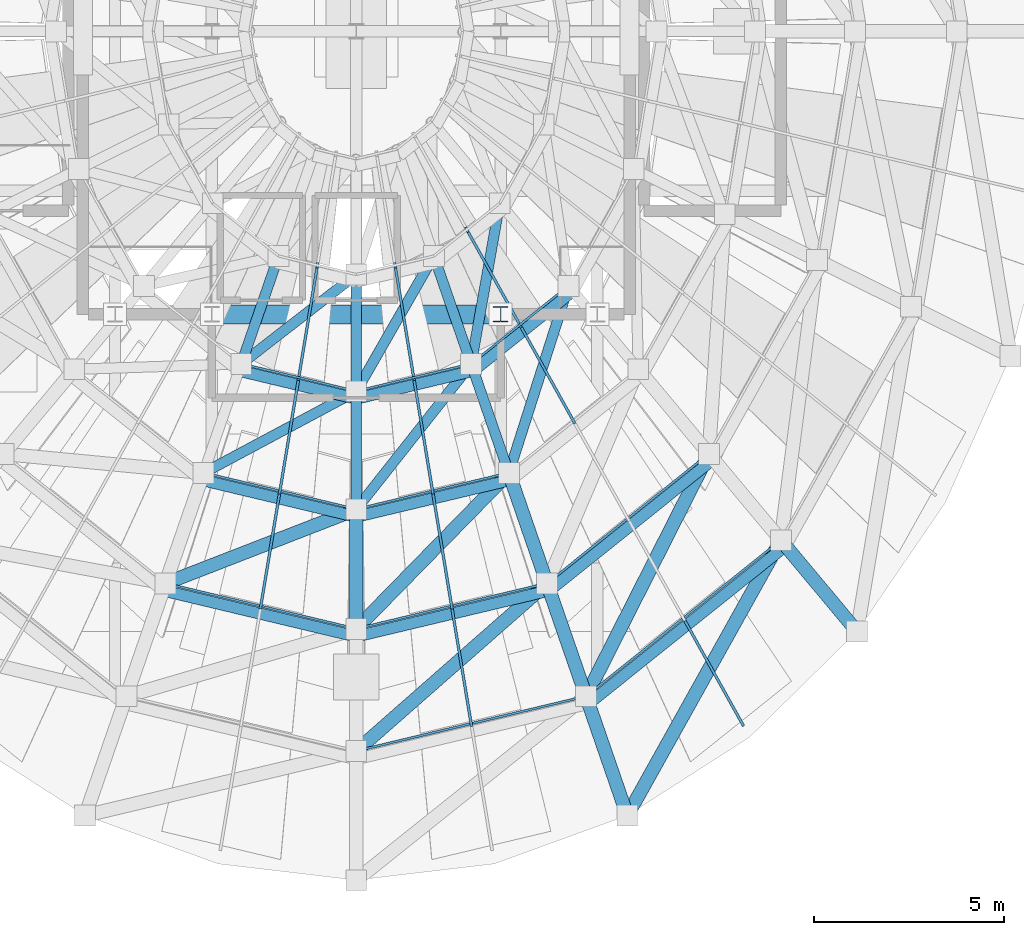
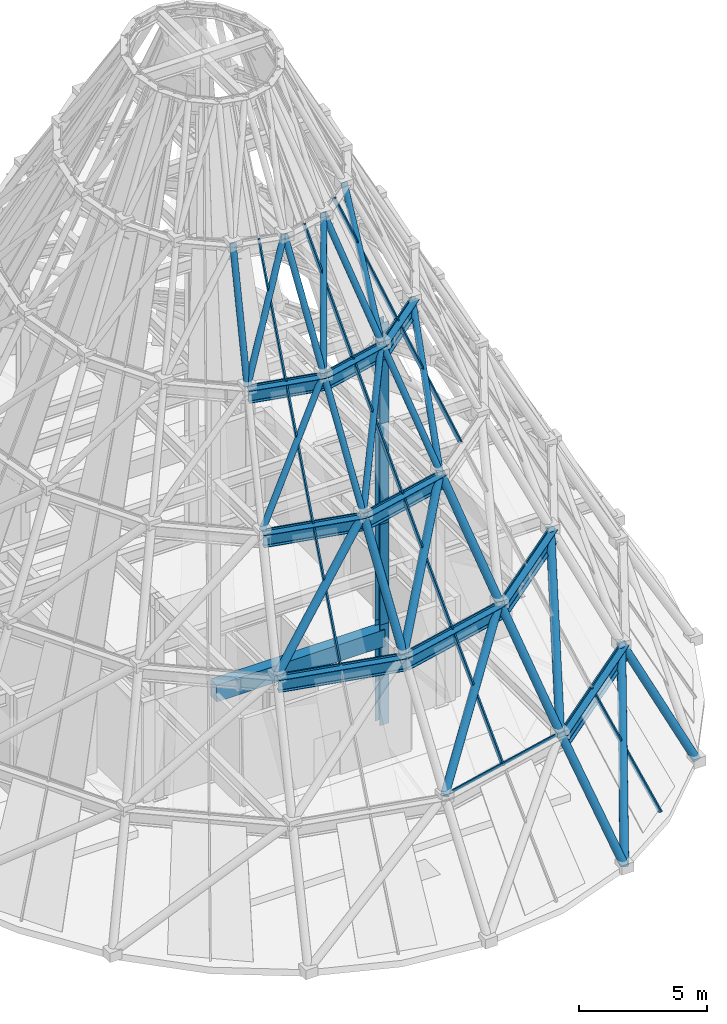
# One storey, part 2 of 16: 45 members, 10 beams, 5 elements without a shape of their own.
"""IFC4 building model written with IfcOpenShell, lengths in metres."""

from ifc_helpers import new_model, si_unit, direction, frame, origin, origin_2d, place, context, subcontext, project, spatial, rectangle, hollow_rectangle, hollow_circle, i_section, extrude, material, layer, layer_set, material_profile, profile_set, type_object, element, aggregate, save


model = new_model("IFC4")

# Units and contexts
model_context = context("Model", 3, precision=1e-05, world=origin(), true_north=direction((0.0, 1.0)))
body_context = subcontext(model_context, "Body", "Model", "MODEL_VIEW")
ifc_project = project(units=[si_unit("LENGTHUNIT", "METRE"), si_unit("AREAUNIT", "SQUARE_METRE"), si_unit("VOLUMEUNIT", "CUBIC_METRE"), si_unit("PLANEANGLEUNIT", "RADIAN"), si_unit("MASSUNIT", "GRAM", prefix="KILO")], contexts=[model_context])

# Site, building, storey
site_placement = place(None, origin())
site = spatial("IfcSite", under=ifc_project, at=site_placement, CompositionType="ELEMENT")
building_placement = place(site_placement, origin())
building = spatial("IfcBuilding", under=site, at=building_placement, Name="Veldorina Hangang Commons", CompositionType="ELEMENT")
storey_placement = place(building_placement, frame((0.0, 0.0, 308.39990234375)))
storey = spatial("IfcBuildingStorey", under=building, at=storey_placement, Name="Crown", CompositionType="ELEMENT", Elevation=308.39990234375)

# Beams
ifc_material_1 = material(Name="Concrete C50/60", Category="concrete")
ifc_material_profile_1 = material_profile(ifc_material_1, rectangle(XDim=0.5, YDim=0.800048828125, at=origin_2d()), Name="RC-CB-500x800")
ifc_profile_set_1 = profile_set([ifc_material_profile_1], Name="Concrete C50/60")
beam_type_1 = type_object("IfcBeamType", Name="BM-CB800", PredefinedType="LINTEL", material=ifc_profile_set_1)
beam_1_placement = place(storey_placement, frame((28.199951171875, 16.550048828125, 4.16015625), z_axis=(1.0, 0.0, 0.0), x_axis=(0.0, 1.0, 0.0)))
element("IfcBeam", 1, at=beam_1_placement, inside=storey, type_object=beam_type_1, Name="Crown south core coupling beam", PredefinedType="LINTEL", context=body_context, shape_type="SweptSolid", body=[
    extrude(rectangle(XDim=0.5, YDim=0.800048828125, at=origin_2d()), origin(), (0.0, 0.0, 1.0), 7.60009765625),
])
ifc_material_2 = material(Name="Steel SM460-TMC", Category="steel")
ifc_material_profile_2 = material_profile(ifc_material_2, i_section(OverallWidth=0.300048828125, OverallDepth=0.587890625, WebThickness=0.011962890625, FlangeThickness=0.02001953125, FilletRadius=0.01806640625, at=origin_2d()), Name="H-588x300x12x20")
ifc_profile_set_2 = profile_set([ifc_material_profile_2], Name="Steel SM460-TMC")
beam_type_2 = type_object("IfcBeamType", Name="BM-FG588", PredefinedType="BEAM", material=ifc_profile_set_2)
beam_2_placement = place(storey_placement, frame((38.11865234375, 6.297607421875, 4.5), z_axis=(0.780592742978, 0.62503997441, 0.0), x_axis=(-0.62503997441, 0.780592742978, 0.0)))
element("IfcBeam", 2, at=beam_2_placement, inside=storey, type_object=beam_type_2, Name="Crown tier 1 ring beam 13", PredefinedType="BEAM", context=body_context, shape_type="SweptSolid", body=[
    extrude(i_section(OverallWidth=0.300048828125, OverallDepth=0.587890625, WebThickness=0.011962890625, FlangeThickness=0.02001953125, FilletRadius=0.01806640625, at=origin_2d()), origin(), (0.0, 0.0, 1.0), 6.645263671875),
])
for number, where, z_axis, x_axis, name in (
    (3, (26.911865234375, 9.27880859375, 9.300048828125), (0.972744581879, -0.231879232416, 0.0), (0.231879232416, 0.972744581879, 0.0), "Crown tier 2 ring beam 11"),
    (4, (32.0, 8.06591796875, 9.300048828125), (0.972744581879, 0.231879232416, 0.0), (-0.231879232416, 0.972744581879, 0.0), "Crown tier 2 ring beam 12"),
):
    element("IfcBeam", number, at=place(storey_placement, frame(where, z_axis=z_axis, x_axis=x_axis)), inside=storey, type_object=beam_type_2, Name=name, PredefinedType="BEAM", context=body_context, shape_type="SweptSolid", body=[
        extrude(i_section(OverallWidth=0.300048828125, OverallDepth=0.587890625, WebThickness=0.011962890625, FlangeThickness=0.02001953125, FilletRadius=0.01806640625, at=origin_2d()), origin(), (0.0, 0.0, 1.0), 5.230712890625),
    ])
beam_3_placement = place(storey_placement, frame((37.088134765625, 9.27880859375, 9.300048828125), z_axis=(0.780592886021, 0.625039795768, 0.0), x_axis=(-0.625039795768, 0.780592886021, 0.0)))
element("IfcBeam", 5, at=beam_3_placement, inside=storey, type_object=beam_type_2, Name="Crown tier 2 ring beam 13", PredefinedType="BEAM", context=body_context, shape_type="SweptSolid", body=[
    extrude(i_section(OverallWidth=0.300048828125, OverallDepth=0.587890625, WebThickness=0.011962890625, FlangeThickness=0.02001953125, FilletRadius=0.01806640625, at=origin_2d()), origin(), (0.0, 0.0, 1.0), 5.526123046875),
])
for number, where, z_axis, x_axis, name in (
    (6, (27.918701171875, 12.19189453125, 14.10009765625), (0.972743744908, -0.231882743522, 0.0), (0.231882743522, 0.972743744908, 0.0), "Crown tier 3 ring beam 11"),
    (7, (32.0, 11.218994140625, 14.10009765625), (0.972743744908, 0.231882743522, 0.0), (-0.231882743522, 0.972743744908, 0.0), "Crown tier 3 ring beam 12"),
):
    element("IfcBeam", number, at=place(storey_placement, frame(where, z_axis=z_axis, x_axis=x_axis)), inside=storey, type_object=beam_type_2, Name=name, PredefinedType="BEAM", context=body_context, shape_type="SweptSolid", body=[
        extrude(i_section(OverallWidth=0.300048828125, OverallDepth=0.587890625, WebThickness=0.011962890625, FlangeThickness=0.02001953125, FilletRadius=0.01806640625, at=origin_2d()), origin(), (0.0, 0.0, 1.0), 4.195556640625),
    ])
for number, where, z_axis, x_axis, name in (
    (8, (28.911376953125, 15.064208984375, 18.900146484375), (0.972739348926, -0.231901183808, 0.0), (0.231901183808, 0.972739348926, 0.0), "Crown tier 4 ring beam 11"),
    (9, (32.0, 14.327880859375, 18.900146484375), (0.972739348926, 0.231901183808, 0.0), (-0.231901183808, 0.972739348926, 0.0), "Crown tier 4 ring beam 12"),
):
    element("IfcBeam", number, at=place(storey_placement, frame(where, z_axis=z_axis, x_axis=x_axis)), inside=storey, type_object=beam_type_2, Name=name, PredefinedType="BEAM", context=body_context, shape_type="SweptSolid", body=[
        extrude(i_section(OverallWidth=0.300048828125, OverallDepth=0.587890625, WebThickness=0.011962890625, FlangeThickness=0.02001953125, FilletRadius=0.01806640625, at=origin_2d()), origin(), (0.0, 0.0, 1.0), 3.17529296875),
    ])
beam_4_placement = place(storey_placement, frame((35.088623046875, 15.064208984375, 18.900146484375), z_axis=(0.780584702233, 0.62505001611, 0.0), x_axis=(-0.62505001611, 0.780584702233, 0.0)))
element("IfcBeam", 10, at=beam_4_placement, inside=storey, type_object=beam_type_2, Name="Crown tier 4 ring beam 13", PredefinedType="BEAM", context=body_context, shape_type="SweptSolid", body=[
    extrude(i_section(OverallWidth=0.300048828125, OverallDepth=0.587890625, WebThickness=0.011962890625, FlangeThickness=0.02001953125, FilletRadius=0.01806640625, at=origin_2d()), origin(), (0.0, 0.0, 1.0), 3.3544921875),
])

# Members
ifc_material_profile_3 = material_profile(ifc_material_2, i_section(OverallWidth=0.39990234375, OverallDepth=0.39990234375, WebThickness=0.012939453125, FlangeThickness=0.02099609375, FilletRadius=0.01806640625, at=origin_2d()), Name="H-400x400x13x21")
ifc_profile_set_3 = profile_set([ifc_material_profile_3], Name="Steel SM460-TMC")
member_type_1 = type_object("IfcMemberType", Name="CRN-POST-H400", PredefinedType="BRACE", material=ifc_profile_set_3)
for number, where, z_axis, x_axis, name in (
    (11, (35.800048828125, 16.550048828125, 0.0), (0.0, 0.0, 1.0), (1.0, 0.0, 0.0), "Crown tier 1 inner core post ISE"),
    (12, (35.800048828125, 16.550048828125, 4.800048828125), (0.0, 0.0, 1.0), (1.0, 0.0, 0.0), "Crown tier 2 inner core post ISE"),
    (13, (35.800048828125, 16.550048828125, 9.60009765625), (0.0, 0.0, 1.0), (1.0, 0.0, 0.0), "Crown tier 3 inner core post ISE"),
    (14, (35.800048828125, 16.550048828125, 14.400146484375), (0.0, 0.0, 1.0), (1.0, 0.0, 0.0), "Crown tier 4 inner core post ISE"),
):
    element("IfcMember", number, at=place(storey_placement, frame(where, z_axis=z_axis, x_axis=x_axis)), inside=storey, type_object=member_type_1, Name=name, PredefinedType="BRACE", context=body_context, shape_type="SweptSolid", body=[
        extrude(i_section(OverallWidth=0.39990234375, OverallDepth=0.39990234375, WebThickness=0.012939453125, FlangeThickness=0.02099609375, FilletRadius=0.01806640625, at=origin_2d()), origin(), (0.0, 0.0, 1.0), 4.800048828125),
    ])
ifc_material_3 = material(Name="Steel SM355-TMC", Category="steel")
ifc_material_profile_4 = material_profile(ifc_material_3, hollow_circle(Radius=0.136474609375, WallThickness=0.011962890625, at=origin_2d()), Name="CHS-273.0x12")
ifc_profile_set_4 = profile_set([ifc_material_profile_4], Name="Steel SM355-TMC")
member_type_2 = type_object("IfcMemberType", Name="CRN-RIB273", PredefinedType="BRACE", material=ifc_profile_set_4)
member_1_placement = place(storey_placement, frame((27.9814453125, 12.373779296875, 14.400146484375), z_axis=(0.607166596877, 0.324609116192, 0.725243162892), x_axis=(-0.471477856671, 0.881877900091, 0.0)))
element("IfcMember", 15, at=member_1_placement, inside=storey, type_object=member_type_2, Name="Crown tier 4 CROWN FRAME diagrid brace 11", PredefinedType="BRACE", context=body_context, shape_type="SweptSolid", body=[
    extrude(hollow_circle(Radius=0.136474609375, WallThickness=0.011962890625, at=origin_2d()), origin(), (0.0, 0.0, 1.0), 6.61865234375),
])
member_2_placement = place(storey_placement, frame((32.0, 11.415771484375, 14.400146484375), z_axis=(0.0, 0.543316784792, 0.839527766881), x_axis=(-1.0, 0.0, 0.0)))
element("IfcMember", 16, at=member_2_placement, inside=storey, type_object=member_type_2, Name="Crown tier 4 CROWN FRAME meridian rib 12", PredefinedType="BRACE", context=body_context, shape_type="SweptSolid", body=[
    extrude(hollow_circle(Radius=0.136474609375, WallThickness=0.011962890625, at=origin_2d()), origin(), (0.0, 0.0, 1.0), 5.717529296875),
])
member_3_placement = place(storey_placement, frame((32.0, 11.415771484375, 14.400146484375), z_axis=(0.442166215286, 0.559225948977, 0.701252719104), x_axis=(-0.784424082486, 0.620224845371, 0.0)))
element("IfcMember", 17, at=member_3_placement, inside=storey, type_object=member_type_2, Name="Crown tier 4 CROWN FRAME diagrid brace 12", PredefinedType="BRACE", context=body_context, shape_type="SweptSolid", body=[
    extrude(hollow_circle(Radius=0.136474609375, WallThickness=0.011962890625, at=origin_2d()), origin(), (0.0, 0.0, 1.0), 6.844970703125),
])
member_4_placement = place(storey_placement, frame((36.0185546875, 12.373779296875, 14.400146484375), z_axis=(-0.174642809834, 0.505273499779, 0.845102703459), x_axis=(-0.945136052308, -0.326676969845, 0.0)))
element("IfcMember", 18, at=member_4_placement, inside=storey, type_object=member_type_2, Name="Crown tier 4 CROWN FRAME meridian rib 13", PredefinedType="BRACE", context=body_context, shape_type="SweptSolid", body=[
    extrude(hollow_circle(Radius=0.136474609375, WallThickness=0.011962890625, at=origin_2d()), origin(), (0.0, 0.0, 1.0), 5.679931640625),
])
member_5_placement = place(storey_placement, frame((36.0185546875, 12.373779296875, 14.400146484375), z_axis=(0.223081746633, 0.698038912441, 0.680423552677), x_axis=(-0.95253923004, 0.30441585904, 0.0)))
element("IfcMember", 19, at=member_5_placement, inside=storey, type_object=member_type_2, Name="Crown tier 4 CROWN FRAME diagrid brace 13", PredefinedType="BRACE", context=body_context, shape_type="SweptSolid", body=[
    extrude(hollow_circle(Radius=0.136474609375, WallThickness=0.011962890625, at=origin_2d()), origin(), (0.0, 0.0, 1.0), 7.054443359375),
])
member_6_placement = place(storey_placement, frame((28.973388671875, 15.24365234375, 19.2001953125), z_axis=(0.173386459595, 0.501622288375, 0.847533017313), x_axis=(-0.945132762504, 0.326686487693, 0.0)))
element("IfcMember", 20, at=member_6_placement, inside=storey, type_object=member_type_2, Name="Crown tier 5 CROWN FRAME meridian rib 11", PredefinedType="BRACE", context=body_context, shape_type="SweptSolid", body=[
    extrude(hollow_circle(Radius=0.136474609375, WallThickness=0.011962890625, at=origin_2d()), origin(), (0.0, 0.0, 1.0), 5.663330078125),
])
member_7_placement = place(storey_placement, frame((28.973388671875, 15.24365234375, 19.2001953125), z_axis=(0.49268560955, 0.383116018074, 0.781334119847), x_axis=(-0.61385684887, 0.789417360523, 0.0)))
element("IfcMember", 21, at=member_7_placement, inside=storey, type_object=member_type_2, Name="Crown tier 5 CROWN FRAME diagrid brace 11", PredefinedType="BRACE", context=body_context, shape_type="SweptSolid", body=[
    extrude(hollow_circle(Radius=0.136474609375, WallThickness=0.011962890625, at=origin_2d()), origin(), (0.0, 0.0, 1.0), 6.14306640625),
])
member_8_placement = place(storey_placement, frame((32.0, 14.522216796875, 19.2001953125), z_axis=(0.0, 0.539436480288, 0.842026296344), x_axis=(-1.0, 0.0, 0.0)))
element("IfcMember", 22, at=member_8_placement, inside=storey, type_object=member_type_2, Name="Crown tier 5 CROWN FRAME meridian rib 12", PredefinedType="BRACE", context=body_context, shape_type="SweptSolid", body=[
    extrude(hollow_circle(Radius=0.136474609375, WallThickness=0.011962890625, at=origin_2d()), origin(), (0.0, 0.0, 1.0), 5.7001953125),
])
member_9_placement = place(storey_placement, frame((32.0, 14.522216796875, 19.2001953125), z_axis=(0.323662341353, 0.563887429574, 0.759785269374), x_axis=(-0.867286839261, 0.497808736811, 0.0)))
element("IfcMember", 23, at=member_9_placement, inside=storey, type_object=member_type_2, Name="Crown tier 5 CROWN FRAME diagrid brace 12", PredefinedType="BRACE", context=body_context, shape_type="SweptSolid", body=[
    extrude(hollow_circle(Radius=0.136474609375, WallThickness=0.011962890625, at=origin_2d()), origin(), (0.0, 0.0, 1.0), 6.3173828125),
])
member_10_placement = place(storey_placement, frame((35.026611328125, 15.24365234375, 19.2001953125), z_axis=(-0.173386459595, 0.501622288375, 0.847533017313), x_axis=(-0.945132762504, -0.326686487693, 0.0)))
element("IfcMember", 24, at=member_10_placement, inside=storey, type_object=member_type_2, Name="Crown tier 5 CROWN FRAME meridian rib 13", PredefinedType="BRACE", context=body_context, shape_type="SweptSolid", body=[
    extrude(hollow_circle(Radius=0.136474609375, WallThickness=0.011962890625, at=origin_2d()), origin(), (0.0, 0.0, 1.0), 5.663330078125),
])
member_11_placement = place(storey_placement, frame((35.026611328125, 15.24365234375, 19.2001953125), z_axis=(0.116670725251, 0.656547638751, 0.74520677662), x_axis=(-0.984575130924, 0.174962314704, 0.0)))
element("IfcMember", 25, at=member_11_placement, inside=storey, type_object=member_type_2, Name="Crown tier 5 CROWN FRAME diagrid brace 13", PredefinedType="BRACE", context=body_context, shape_type="SweptSolid", body=[
    extrude(hollow_circle(Radius=0.136474609375, WallThickness=0.011962890625, at=origin_2d()), origin(), (0.0, 0.0, 1.0), 6.44091796875),
])
ifc_material_profile_5 = material_profile(ifc_material_3, hollow_circle(Radius=0.177734375, WallThickness=0.01611328125, at=origin_2d()), Name="CHS-355.6x16")
ifc_profile_set_5 = profile_set([ifc_material_profile_5], Name="Steel SM355-TMC")
member_type_3 = type_object("IfcMemberType", Name="CRN-RIB355", PredefinedType="BRACE", material=ifc_profile_set_5)
member_12_placement = place(storey_placement, frame((39.136962890625, 3.351318359375, 0.0), z_axis=(-0.186016034255, 0.538187995712, 0.822041188914), x_axis=(-0.945137867095, -0.32667171929, 0.0)))
element("IfcMember", 26, at=member_12_placement, inside=storey, type_object=member_type_3, Name="Crown tier 1 CROWN FRAME meridian rib 13", PredefinedType="BRACE", context=body_context, shape_type="SweptSolid", body=[
    extrude(hollow_circle(Radius=0.177734375, WallThickness=0.01611328125, at=origin_2d()), origin(), (0.0, 0.0, 1.0), 5.839111328125),
])
member_13_placement = place(storey_placement, frame((39.136962890625, 3.351318359375, 0.0), z_axis=(0.421668374498, 0.756059899111, 0.500568887272), x_axis=(-0.873354250632, 0.487085570412, 0.0)))
element("IfcMember", 27, at=member_13_placement, inside=storey, type_object=member_type_3, Name="Crown tier 1 CROWN FRAME diagrid brace 13", PredefinedType="BRACE", context=body_context, shape_type="SweptSolid", body=[
    extrude(hollow_circle(Radius=0.177734375, WallThickness=0.01611328125, at=origin_2d()), origin(), (0.0, 0.0, 1.0), 9.589111328125),
])
member_14_placement = place(storey_placement, frame((45.1875, 8.1962890625, 0.0), z_axis=(-0.350168559507, 0.419597430934, 0.837448491482), x_axis=(-0.767767513013, -0.640728527508, 0.0)))
element("IfcMember", 28, at=member_14_placement, inside=storey, type_object=member_type_3, Name="Crown tier 1 CROWN FRAME meridian rib 14", PredefinedType="BRACE", context=body_context, shape_type="SweptSolid", body=[
    extrude(hollow_circle(Radius=0.177734375, WallThickness=0.01611328125, at=origin_2d()), origin(), (0.0, 0.0, 1.0), 5.731689453125),
])
member_15_placement = place(storey_placement, frame((32.0, 5.051513671875, 4.800048828125), z_axis=(0.610338171498, 0.536129496938, 0.583140188056), x_axis=(-0.659956029597, 0.75130422533, 0.0)))
element("IfcMember", 29, at=member_15_placement, inside=storey, type_object=member_type_3, Name="Crown tier 2 CROWN FRAME diagrid brace 12", PredefinedType="BRACE", context=body_context, shape_type="SweptSolid", body=[
    extrude(hollow_circle(Radius=0.177734375, WallThickness=0.01611328125, at=origin_2d()), origin(), (0.0, 0.0, 1.0), 8.2314453125),
])
member_16_placement = place(storey_placement, frame((38.05078125, 6.493896484375, 4.800048828125), z_axis=(-0.17896971746, 0.517761179755, 0.836596199472), x_axis=(-0.94513004186, -0.326694358651, 0.0)))
element("IfcMember", 30, at=member_16_placement, inside=storey, type_object=member_type_3, Name="Crown tier 2 CROWN FRAME meridian rib 13", PredefinedType="BRACE", context=body_context, shape_type="SweptSolid", body=[
    extrude(hollow_circle(Radius=0.177734375, WallThickness=0.01611328125, at=origin_2d()), origin(), (0.0, 0.0, 1.0), 5.737548828125),
])
member_17_placement = place(storey_placement, frame((38.05078125, 6.493896484375, 4.800048828125), z_axis=(0.375235683021, 0.740750381203, 0.557213652861), x_axis=(-0.892073568209, 0.451890195626, 0.0)))
element("IfcMember", 31, at=member_17_placement, inside=storey, type_object=member_type_3, Name="Crown tier 2 CROWN FRAME diagrid brace 13", PredefinedType="BRACE", context=body_context, shape_type="SweptSolid", body=[
    extrude(hollow_circle(Radius=0.177734375, WallThickness=0.01611328125, at=origin_2d()), origin(), (0.0, 0.0, 1.0), 8.6142578125),
])
member_18_placement = place(storey_placement, frame((26.97607421875, 9.464599609375, 9.60009765625), z_axis=(0.696108596813, 0.270351827473, 0.665088498491), x_axis=(-0.362030881665, 0.932166101465, 0.0)))
element("IfcMember", 32, at=member_18_placement, inside=storey, type_object=member_type_3, Name="Crown tier 3 CROWN FRAME diagrid brace 11", PredefinedType="BRACE", context=body_context, shape_type="SweptSolid", body=[
    extrude(hollow_circle(Radius=0.177734375, WallThickness=0.01611328125, at=origin_2d()), origin(), (0.0, 0.0, 1.0), 7.217041015625),
])
member_19_placement = place(storey_placement, frame((32.0, 8.26708984375, 9.60009765625), z_axis=(0.0, 0.548492006114, 0.836155798419), x_axis=(-1.0, 0.0, 0.0)))
element("IfcMember", 33, at=member_19_placement, inside=storey, type_object=member_type_3, Name="Crown tier 3 CROWN FRAME meridian rib 12", PredefinedType="BRACE", context=body_context, shape_type="SweptSolid", body=[
    extrude(hollow_circle(Radius=0.177734375, WallThickness=0.01611328125, at=origin_2d()), origin(), (0.0, 0.0, 1.0), 5.74072265625),
])
member_20_placement = place(storey_placement, frame((32.0, 8.26708984375, 9.60009765625), z_axis=(0.536742521296, 0.548514334795, 0.641123615504), x_axis=(-0.714734743626, 0.699395629278, 0.0)))
element("IfcMember", 34, at=member_20_placement, inside=storey, type_object=member_type_3, Name="Crown tier 3 CROWN FRAME diagrid brace 12", PredefinedType="BRACE", context=body_context, shape_type="SweptSolid", body=[
    extrude(hollow_circle(Radius=0.177734375, WallThickness=0.01611328125, at=origin_2d()), origin(), (0.0, 0.0, 1.0), 7.48681640625),
])
member_21_placement = place(storey_placement, frame((37.02392578125, 9.464599609375, 9.60009765625), z_axis=(-0.176314249131, 0.510189556253, 0.841795641616), x_axis=(-0.94515192212, -0.326631051971, 0.0)))
element("IfcMember", 35, at=member_21_placement, inside=storey, type_object=member_type_3, Name="Crown tier 3 CROWN FRAME meridian rib 13", PredefinedType="BRACE", context=body_context, shape_type="SweptSolid", body=[
    extrude(hollow_circle(Radius=0.177734375, WallThickness=0.01611328125, at=origin_2d()), origin(), (0.0, 0.0, 1.0), 5.7021484375),
])

# Curtain wall, member
ifc_material_4 = material(Name="Glass Low-Iron Laminated", Category="glass")
ifc_layer = layer(ifc_material_4, 0.179931640625)
ifc_layer_set = layer_set([ifc_layer], Name="Glass Low-Iron Laminated")
curtain_wall_type = type_object("IfcCurtainWallType", Name="CW-SYS-CRN", PredefinedType="NOTDEFINED", material=ifc_layer_set)
curtain_wall_1_placement = place(storey_placement, origin())
curtain_wall_1 = element("IfcCurtainWall", 36, at=curtain_wall_1_placement, inside=storey, type_object=curtain_wall_type, Name="Crown glass-point sloped pyramidal curtain wall tier 1", PredefinedType="NOTDEFINED")
ifc_material_5 = material(Name="Aluminium Anodized AA6063-T6", Category="aluminium")
ifc_material_profile_6 = material_profile(ifc_material_5, hollow_rectangle(XDim=0.070068359375, YDim=0.179931640625, WallThickness=0.00390625, at=origin_2d()), Name="ALU-RHS-180x70x4")
ifc_profile_set_6 = profile_set([ifc_material_profile_6], Name="Aluminium Anodized AA6063-T6")
member_type_4 = type_object("IfcMemberType", Name="CW-MUL-180", PredefinedType="MULLION", material=ifc_profile_set_6)
member_22_placement = place(storey_placement, frame((42.162353515625, 5.773681640625, 0.0), z_axis=(-0.268716482748, 0.48195054096, 0.833975496024), x_axis=(-0.873412920145, -0.486980359895, 0.0)))
member_22 = element("IfcMember", 37, at=member_22_placement, type_object=member_type_4, Name="CW-CRN-T1 sloped mid-facet mullion 14", PredefinedType="MULLION", context=body_context, shape_type="SweptSolid", body=[
    extrude(hollow_rectangle(XDim=0.070068359375, YDim=0.179931640625, WallThickness=0.00390625, at=origin_2d()), origin(), (0.0, 0.0, 1.0), 5.755615234375),
])

curtain_wall_2_placement = place(storey_placement, origin())
curtain_wall_2 = element("IfcCurtainWall", 38, at=curtain_wall_2_placement, inside=storey, type_object=curtain_wall_type, Name="Crown glass-point sloped pyramidal curtain wall tier 2", PredefinedType="NOTDEFINED")
member_23_placement = place(storey_placement, frame((35.025390625, 5.772705078125, 4.800048828125), z_axis=(-0.089551725769, 0.539482079778, 0.83722134111), x_axis=(-0.986501044241, -0.163754968509, 0.0)))
member_23 = element("IfcMember", 39, at=member_23_placement, type_object=member_type_4, Name="CW-CRN-T2 sloped mid-facet mullion 13", PredefinedType="MULLION", context=body_context, shape_type="SweptSolid", body=[
    extrude(hollow_rectangle(XDim=0.070068359375, YDim=0.179931640625, WallThickness=0.00390625, at=origin_2d()), origin(), (0.0, 0.0, 1.0), 5.7333984375),
])

# Curtain wall, members
curtain_wall_3_placement = place(storey_placement, origin())
curtain_wall_3 = element("IfcCurtainWall", 40, at=curtain_wall_3_placement, inside=storey, type_object=curtain_wall_type, Name="Crown glass-point sloped pyramidal curtain wall tier 3", PredefinedType="NOTDEFINED")
member_24_placement = place(storey_placement, frame((29.488037109375, 8.86572265625, 9.60009765625), z_axis=(0.088219882825, 0.531590134146, 0.842394908314), x_axis=(-0.986507582932, 0.163715572923, 0.0)))
member_24 = element("IfcMember", 41, at=member_24_placement, type_object=member_type_4, Name="CW-CRN-T3 sloped mid-facet mullion 12", PredefinedType="MULLION", context=body_context, shape_type="SweptSolid", body=[
    extrude(hollow_rectangle(XDim=0.070068359375, YDim=0.179931640625, WallThickness=0.00390625, at=origin_2d()), origin(), (0.0, 0.0, 1.0), 5.697998046875),
])
member_25_placement = place(storey_placement, frame((34.511962890625, 8.86572265625, 9.60009765625), z_axis=(-0.088219882825, 0.531590134146, 0.842394908314), x_axis=(-0.986507582932, -0.163715572923, 0.0)))
member_25 = element("IfcMember", 42, at=member_25_placement, type_object=member_type_4, Name="CW-CRN-T3 sloped mid-facet mullion 13", PredefinedType="MULLION", context=body_context, shape_type="SweptSolid", body=[
    extrude(hollow_rectangle(XDim=0.070068359375, YDim=0.179931640625, WallThickness=0.00390625, at=origin_2d()), origin(), (0.0, 0.0, 1.0), 5.697998046875),
])

curtain_wall_4_placement = place(storey_placement, origin())
curtain_wall_4 = element("IfcCurtainWall", 43, at=curtain_wall_4_placement, inside=storey, type_object=curtain_wall_type, Name="Crown glass-point sloped pyramidal curtain wall tier 4", PredefinedType="NOTDEFINED")
member_26_placement = place(storey_placement, frame((29.99072265625, 11.894775390625, 14.400146484375), z_axis=(0.087404756742, 0.526450205595, 0.845701241295), x_axis=(-0.986496119713, 0.163784632344, 0.0)))
member_26 = element("IfcMember", 44, at=member_26_placement, type_object=member_type_4, Name="CW-CRN-T4 sloped mid-facet mullion 12", PredefinedType="MULLION", context=body_context, shape_type="SweptSolid", body=[
    extrude(hollow_rectangle(XDim=0.070068359375, YDim=0.179931640625, WallThickness=0.00390625, at=origin_2d()), origin(), (0.0, 0.0, 1.0), 5.67578125),
])
member_27_placement = place(storey_placement, frame((34.00927734375, 11.894775390625, 14.400146484375), z_axis=(-0.087404756742, 0.526450205595, 0.845701241295), x_axis=(-0.986496119713, -0.163784632344, 0.0)))
member_27 = element("IfcMember", 45, at=member_27_placement, type_object=member_type_4, Name="CW-CRN-T4 sloped mid-facet mullion 13", PredefinedType="MULLION", context=body_context, shape_type="SweptSolid", body=[
    extrude(hollow_rectangle(XDim=0.070068359375, YDim=0.179931640625, WallThickness=0.00390625, at=origin_2d()), origin(), (0.0, 0.0, 1.0), 5.67578125),
])
member_28_placement = place(storey_placement, frame((37.721923828125, 13.737548828125, 14.400146484375), z_axis=(-0.251830581641, 0.451727907638, 0.855875724397), x_axis=(-0.873441670834, -0.486928791151, 0.0)))
member_28 = element("IfcMember", 46, at=member_28_placement, type_object=member_type_4, Name="CW-CRN-T4 sloped mid-facet mullion 14", PredefinedType="MULLION", context=body_context, shape_type="SweptSolid", body=[
    extrude(hollow_rectangle(XDim=0.070068359375, YDim=0.179931640625, WallThickness=0.00390625, at=origin_2d()), origin(), (0.0, 0.0, 1.0), 5.6083984375),
])

curtain_wall_5_placement = place(storey_placement, origin())
curtain_wall_5 = element("IfcCurtainWall", 47, at=curtain_wall_5_placement, inside=storey, type_object=curtain_wall_type, Name="Crown glass-point sloped pyramidal curtain wall tier 5", PredefinedType="NOTDEFINED")
member_29_placement = place(storey_placement, frame((30.48681640625, 14.8828125, 19.2001953125), z_axis=(0.086752209308, 0.5226701979, 0.848109614618), x_axis=(-0.986503732058, 0.1637387756, 0.0)))
member_29 = element("IfcMember", 48, at=member_29_placement, type_object=member_type_4, Name="CW-CRN-T5 sloped mid-facet mullion 12", PredefinedType="MULLION", context=body_context, shape_type="SweptSolid", body=[
    extrude(hollow_rectangle(XDim=0.070068359375, YDim=0.179931640625, WallThickness=0.00390625, at=origin_2d()), origin(), (0.0, 0.0, 1.0), 5.659423828125),
])
member_30_placement = place(storey_placement, frame((33.51318359375, 14.8828125, 19.2001953125), z_axis=(-0.086752209308, 0.5226701979, 0.848109614618), x_axis=(-0.986503732058, -0.1637387756, 0.0)))
member_30 = element("IfcMember", 49, at=member_30_placement, type_object=member_type_4, Name="CW-CRN-T5 sloped mid-facet mullion 13", PredefinedType="MULLION", context=body_context, shape_type="SweptSolid", body=[
    extrude(hollow_rectangle(XDim=0.070068359375, YDim=0.179931640625, WallThickness=0.00390625, at=origin_2d()), origin(), (0.0, 0.0, 1.0), 5.659423828125),
])
member_31_placement = place(storey_placement, frame((36.3095703125, 16.27099609375, 19.2001953125), z_axis=(-0.249992590984, 0.448345364414, 0.85819003645), x_axis=(-0.873402131722, -0.486999708731, 0.0)))
member_31 = element("IfcMember", 50, at=member_31_placement, type_object=member_type_4, Name="CW-CRN-T5 sloped mid-facet mullion 14", PredefinedType="MULLION", context=body_context, shape_type="SweptSolid", body=[
    extrude(hollow_rectangle(XDim=0.070068359375, YDim=0.179931640625, WallThickness=0.00390625, at=origin_2d()), origin(), (0.0, 0.0, 1.0), 5.593017578125),
])
aggregate(curtain_wall_5, [member_29, member_30, member_31])

# Member
ifc_material_profile_7 = material_profile(ifc_material_5, hollow_rectangle(XDim=0.06005859375, YDim=0.139892578125, WallThickness=0.00341796875, at=origin_2d()), Name="ALU-RHS-140x60x3.5")
ifc_profile_set_7 = profile_set([ifc_material_profile_7], Name="Aluminium Anodized AA6063-T6")
member_type_5 = type_object("IfcMemberType", Name="CW-TRN-140", PredefinedType="USERDEFINED", material=ifc_profile_set_7)
member_32_placement = place(storey_placement, frame((32.0, 5.051513671875, 4.800048828125), z_axis=(0.972743852943, 0.231882290316, 0.0), x_axis=(-0.231882290316, 0.972743852943, 0.0)))
member_32 = element("IfcMember", 51, at=member_32_placement, type_object=member_type_5, Name="CW-CRN-T1 horizontal ring transom 13", ObjectType="TRANSOM", PredefinedType="USERDEFINED", context=body_context, shape_type="SweptSolid", body=[
    extrude(hollow_rectangle(XDim=0.06005859375, YDim=0.139892578125, WallThickness=0.00341796875, at=origin_2d()), origin(), (0.0, 0.0, 1.0), 6.22021484375),
])

member_33_placement = place(storey_placement, frame((38.05078125, 6.493896484375, 4.800048828125), z_axis=(0.78059326765, 0.625039319163, 0.0), x_axis=(-0.625039319163, 0.78059326765, 0.0)))
member_33 = element("IfcMember", 52, at=member_33_placement, type_object=member_type_5, Name="CW-CRN-T1 horizontal ring transom 14", ObjectType="TRANSOM", PredefinedType="USERDEFINED", context=body_context, shape_type="SweptSolid", body=[
    extrude(hollow_rectangle(XDim=0.06005859375, YDim=0.139892578125, WallThickness=0.00341796875, at=origin_2d()), origin(), (0.0, 0.0, 1.0), 6.571533203125),
])

aggregate(curtain_wall_1, [member_32, member_22, member_33])

member_34_placement = place(storey_placement, frame((26.97607421875, 9.464599609375, 9.60009765625), z_axis=(0.972747855576, -0.231865498668, 0.0), x_axis=(0.231865498668, 0.972747855576, 0.0)))
member_34 = element("IfcMember", 53, at=member_34_placement, type_object=member_type_5, Name="CW-CRN-T2 horizontal ring transom 12", ObjectType="TRANSOM", PredefinedType="USERDEFINED", context=body_context, shape_type="SweptSolid", body=[
    extrude(hollow_rectangle(XDim=0.06005859375, YDim=0.139892578125, WallThickness=0.00341796875, at=origin_2d()), origin(), (0.0, 0.0, 1.0), 5.164794921875),
])

member_35_placement = place(storey_placement, frame((32.0, 8.26708984375, 9.60009765625), z_axis=(0.972747855576, 0.231865498668, 0.0), x_axis=(-0.231865498668, 0.972747855576, 0.0)))
member_35 = element("IfcMember", 54, at=member_35_placement, type_object=member_type_5, Name="CW-CRN-T2 horizontal ring transom 13", ObjectType="TRANSOM", PredefinedType="USERDEFINED", context=body_context, shape_type="SweptSolid", body=[
    extrude(hollow_rectangle(XDim=0.06005859375, YDim=0.139892578125, WallThickness=0.00341796875, at=origin_2d()), origin(), (0.0, 0.0, 1.0), 5.164794921875),
])

member_36_placement = place(storey_placement, frame((37.02392578125, 9.464599609375, 9.60009765625), z_axis=(0.780602457603, 0.625027841927, 0.0), x_axis=(-0.625027841927, 0.780602457603, 0.0)))
member_36 = element("IfcMember", 55, at=member_36_placement, type_object=member_type_5, Name="CW-CRN-T2 horizontal ring transom 14", ObjectType="TRANSOM", PredefinedType="USERDEFINED", context=body_context, shape_type="SweptSolid", body=[
    extrude(hollow_rectangle(XDim=0.06005859375, YDim=0.139892578125, WallThickness=0.00341796875, at=origin_2d()), origin(), (0.0, 0.0, 1.0), 5.456298828125),
])

aggregate(curtain_wall_2, [member_34, member_23, member_35, member_36])

member_37_placement = place(storey_placement, frame((27.9814453125, 12.373779296875, 14.400146484375), z_axis=(0.972740229862, -0.231897488577, 0.0), x_axis=(0.231897488577, 0.972740229862, 0.0)))
member_37 = element("IfcMember", 56, at=member_37_placement, type_object=member_type_5, Name="CW-CRN-T3 horizontal ring transom 12", ObjectType="TRANSOM", PredefinedType="USERDEFINED", context=body_context, shape_type="SweptSolid", body=[
    extrude(hollow_rectangle(XDim=0.06005859375, YDim=0.139892578125, WallThickness=0.00341796875, at=origin_2d()), origin(), (0.0, 0.0, 1.0), 4.131103515625),
])

member_38_placement = place(storey_placement, frame((32.0, 11.415771484375, 14.400146484375), z_axis=(0.972740229862, 0.231897488577, 0.0), x_axis=(-0.231897488577, 0.972740229862, 0.0)))
member_38 = element("IfcMember", 57, at=member_38_placement, type_object=member_type_5, Name="CW-CRN-T3 horizontal ring transom 13", ObjectType="TRANSOM", PredefinedType="USERDEFINED", context=body_context, shape_type="SweptSolid", body=[
    extrude(hollow_rectangle(XDim=0.06005859375, YDim=0.139892578125, WallThickness=0.00341796875, at=origin_2d()), origin(), (0.0, 0.0, 1.0), 4.131103515625),
])

aggregate(curtain_wall_3, [member_24, member_37, member_25, member_38])

member_39_placement = place(storey_placement, frame((28.973388671875, 15.24365234375, 19.2001953125), z_axis=(0.972747249247, -0.231868042391, 0.0), x_axis=(0.231868042391, 0.972747249247, 0.0)))
member_39 = element("IfcMember", 58, at=member_39_placement, type_object=member_type_5, Name="CW-CRN-T4 horizontal ring transom 12", ObjectType="TRANSOM", PredefinedType="USERDEFINED", context=body_context, shape_type="SweptSolid", body=[
    extrude(hollow_rectangle(XDim=0.06005859375, YDim=0.139892578125, WallThickness=0.00341796875, at=origin_2d()), origin(), (0.0, 0.0, 1.0), 3.111328125),
])

member_40_placement = place(storey_placement, frame((32.0, 14.522216796875, 19.2001953125), z_axis=(0.972747249247, 0.231868042391, 0.0), x_axis=(-0.231868042391, 0.972747249247, 0.0)))
member_40 = element("IfcMember", 59, at=member_40_placement, type_object=member_type_5, Name="CW-CRN-T4 horizontal ring transom 13", ObjectType="TRANSOM", PredefinedType="USERDEFINED", context=body_context, shape_type="SweptSolid", body=[
    extrude(hollow_rectangle(XDim=0.06005859375, YDim=0.139892578125, WallThickness=0.00341796875, at=origin_2d()), origin(), (0.0, 0.0, 1.0), 3.111328125),
])

member_41_placement = place(storey_placement, frame((35.026611328125, 15.24365234375, 19.2001953125), z_axis=(0.780586111303, 0.62504825641, 0.0), x_axis=(-0.62504825641, 0.780586111303, 0.0)))
member_41 = element("IfcMember", 60, at=member_41_placement, type_object=member_type_5, Name="CW-CRN-T4 horizontal ring transom 14", ObjectType="TRANSOM", PredefinedType="USERDEFINED", context=body_context, shape_type="SweptSolid", body=[
    extrude(hollow_rectangle(XDim=0.06005859375, YDim=0.139892578125, WallThickness=0.00341796875, at=origin_2d()), origin(), (0.0, 0.0, 1.0), 3.286865234375),
])

aggregate(curtain_wall_4, [member_26, member_39, member_27, member_40, member_28, member_41])

save(model, "model.ifc")
